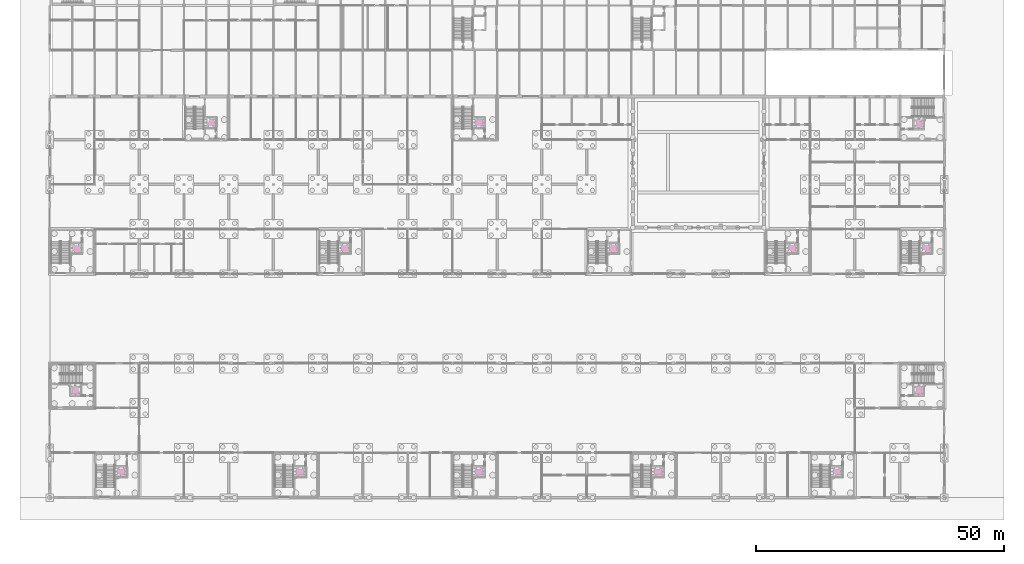
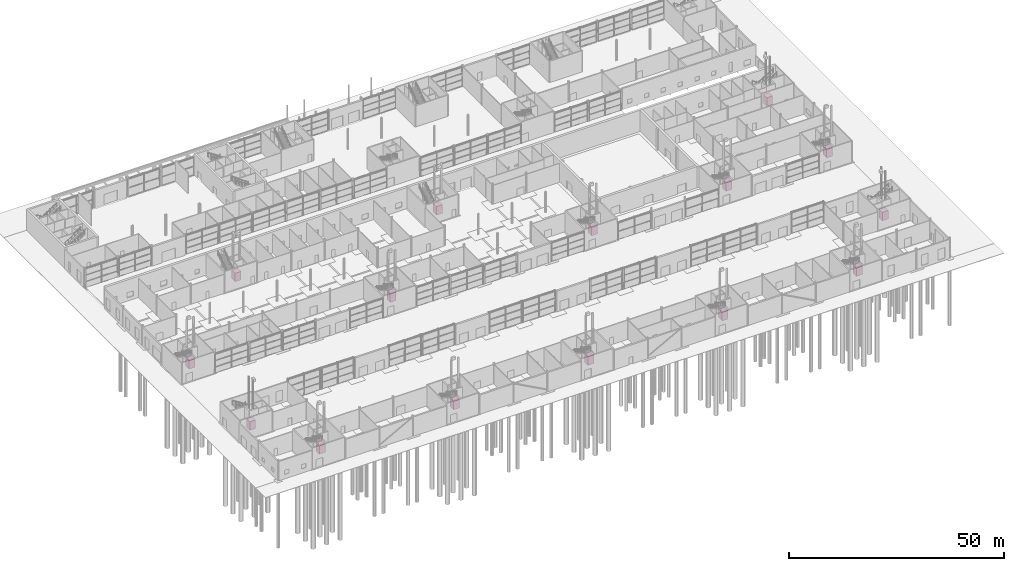
# One storey, part 97 of 97: 15 transport elements.
"""IFC4 building model written with IfcOpenShell, lengths in metres."""

from ifc_helpers import new_model, si_unit, direction, frame, origin, origin_2d, place, context, subcontext, project, spatial, rectangle, extrude, material, type_object, element, save


model = new_model("IFC4")

# Units and contexts
model_context = context("Model", 3, precision=1e-05, world=origin(), true_north=direction((0.0, 1.0)))
body_context = subcontext(model_context, "Body", "Model", "MODEL_VIEW")
ifc_project = project(units=[si_unit("LENGTHUNIT", "METRE"), si_unit("AREAUNIT", "SQUARE_METRE"), si_unit("VOLUMEUNIT", "CUBIC_METRE"), si_unit("PLANEANGLEUNIT", "RADIAN"), si_unit("MASSUNIT", "GRAM", prefix="KILO")], contexts=[model_context])

# Site, building, storey
site_placement = place(None, origin())
site = spatial("IfcSite", under=ifc_project, at=site_placement, CompositionType="ELEMENT")
building_placement = place(site_placement, origin())
building = spatial("IfcBuilding", under=site, at=building_placement, Name="Corbel Yard City Hall", CompositionType="ELEMENT")
storey_placement = place(building_placement, origin())
storey = spatial("IfcBuildingStorey", under=building, at=storey_placement, Name="L00", CompositionType="ELEMENT", Elevation=0.0)

# Transport elements
ifc_material = material(Name="Stainless steel Grade 316", Category="steel")
transport_element_type = type_object("IfcTransportElementType", Name="LC1", PredefinedType="ELEVATOR", material=ifc_material)
for number, where, z_axis, x_axis, name in (
    (1, (14.35009765625, 5.199951171875, 0.0), (0.0, 0.0, 1.0), (1.0, 0.0, 0.0), "Lift LP1 car"),
    (2, (50.35009765625, 5.199951171875, 0.0), (0.0, 0.0, 1.0), (1.0, 0.0, 0.0), "Lift LP2 car"),
    (3, (86.35009765625, 5.199951171875, 0.0), (0.0, 0.0, 1.0), (1.0, 0.0, 0.0), "Lift LP3 car"),
    (4, (122.35009765625, 5.199951171875, 0.0), (0.0, 0.0, 1.0), (1.0, 0.0, 0.0), "Lift LP4 car"),
    (5, (158.35009765625, 5.199951171875, 0.0), (0.0, 0.0, 1.0), (1.0, 0.0, 0.0), "Lift LP5 car"),
    (6, (5.199951171875, 21.64990234375, 0.0), (0.0, 0.0, 1.0), (0.0, 1.0, 0.0), "Lift LP6 car"),
    (7, (174.800048828125, 21.64990234375, 0.0), (0.0, 0.0, 1.0), (0.0, 1.0, 0.0), "Lift LP7 car"),
    (8, (5.35009765625, 50.199951171875, 0.0), (0.0, 0.0, 1.0), (1.0, 0.0, 0.0), "Lift LP8 car"),
    (9, (59.35009765625, 50.199951171875, 0.0), (0.0, 0.0, 1.0), (1.0, 0.0, 0.0), "Lift LP9 car"),
    (10, (113.35009765625, 50.199951171875, 0.0), (0.0, 0.0, 1.0), (1.0, 0.0, 0.0), "Lift LP10 car"),
    (11, (149.35009765625, 50.199951171875, 0.0), (0.0, 0.0, 1.0), (1.0, 0.0, 0.0), "Lift LP11 car"),
    (12, (176.35009765625, 50.199951171875, 0.0), (0.0, 0.0, 1.0), (1.0, 0.0, 0.0), "Lift LP12 car"),
    (13, (32.35009765625, 75.449951171875, 0.0), (0.0, 0.0, 1.0), (1.0, 0.0, 0.0), "Lift LP13 car"),
    (14, (86.35009765625, 75.449951171875, 0.0), (0.0, 0.0, 1.0), (1.0, 0.0, 0.0), "Lift LP14 car"),
    (15, (174.800048828125, 75.300048828125, 0.0), (0.0, 0.0, 1.0), (0.0, 1.0, 0.0), "Lift LP15 car"),
):
    element("IfcTransportElement", number, at=place(storey_placement, frame(where, z_axis=z_axis, x_axis=x_axis)), inside=storey, type_object=transport_element_type, Name=name, PredefinedType="ELEVATOR", context=body_context, shape_type="SweptSolid", body=[
        extrude(rectangle(XDim=1.60009765625, YDim=1.60009765625, at=origin_2d()), origin(), (0.0, 0.0, 1.0), 2.39990234375),
    ])

save(model, "model.ifc")
